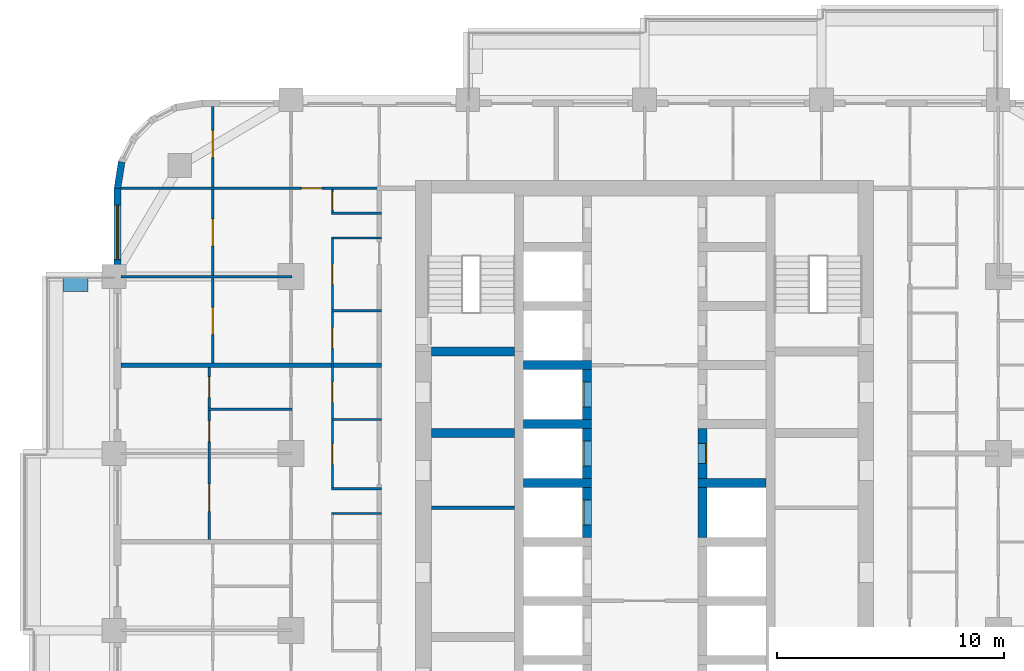
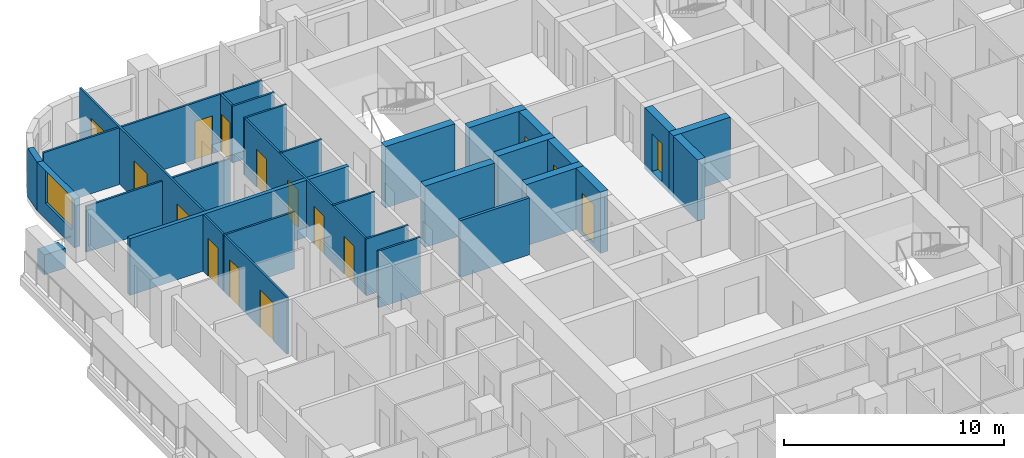
# One storey, part 10 of 17: 29 walls, 16 doors, 1 window, 17 openings.
"""IFC4 building model written with IfcOpenShell, lengths in metres."""

from ifc_helpers import new_model, si_unit, direction, frame, frame_2d, origin, place, context, subcontext, project, spatial, rectangle, extrude, material, layer, layer_set, type_object, element, fill, save


model = new_model("IFC4")

# Units and contexts
model_context = context("Model", 3, precision=1e-05, world=origin(), true_north=direction((0.0, 1.0)))
body_context = subcontext(model_context, "Body", "Model", "MODEL_VIEW")
ifc_project = project(units=[si_unit("LENGTHUNIT", "METRE"), si_unit("AREAUNIT", "SQUARE_METRE"), si_unit("VOLUMEUNIT", "CUBIC_METRE"), si_unit("PLANEANGLEUNIT", "RADIAN"), si_unit("MASSUNIT", "GRAM", prefix="KILO")], contexts=[model_context])

# Site, building, storey
site_placement = place(None, origin())
site = spatial("IfcSite", under=ifc_project, at=site_placement, CompositionType="ELEMENT")
building_placement = place(site_placement, origin())
building = spatial("IfcBuilding", under=site, at=building_placement, Name="Ludao Terraces", CompositionType="ELEMENT")
storey_placement = place(building_placement, frame((0.0, 0.0, 39.89990234375)))
storey = spatial("IfcBuildingStorey", under=building, at=storey_placement, Name="L10", CompositionType="ELEMENT", Elevation=39.89990234375)

# Wall
ifc_material_1 = material(Name="Concrete C40", Category="concrete")
ifc_layer_1 = layer(ifc_material_1, 0.60009765625)
ifc_layer_set_1 = layer_set([ifc_layer_1], Name="ENV Planter trough 600")
wall_type_1 = type_object("IfcWallType", Name="ENV Planter trough 600", PredefinedType="USERDEFINED", material=ifc_layer_set_1)
wall_1_placement = place(storey_placement, frame((59.35009765625, 80.25, 0.0), z_axis=(0.0, 0.0, 1.0), x_axis=(1.0, 0.0, 0.0)))
element("IfcWall", 1, at=wall_1_placement, inside=storey, type_object=wall_type_1, Name="PL-L10-W4-SB", ObjectType="PLANTER", PredefinedType="USERDEFINED", context=body_context, shape_type="SweptSolid", body=[
    extrude(rectangle(XDim=1.099853515625, YDim=0.60009765625, at=frame_2d((0.5498046875, 0.0))), origin(), (0.0, 0.0, 1.0), 1.10009765625),
])

# Wall, opening, window
ifc_material_2 = material(Name="Granite cladding", Category="masonry")
ifc_layer_2 = layer(ifc_material_2, 0.0400390625, Category="stone")
ifc_material_3 = material(Name="Mineral wool")
ifc_layer_3 = layer(ifc_material_3, 0.06005859375)
ifc_layer_4 = layer(ifc_material_1, 0.199951171875, Category="concrete")
ifc_layer_set_2 = layer_set([ifc_layer_2, ifc_layer_3, ifc_layer_4], Name="ENV Stone-clad wall 300")
wall_type_2 = type_object("IfcWallType", Name="ENV Stone-clad wall 300", PredefinedType="SOLIDWALL", material=ifc_layer_set_2)
wall_2_placement = place(storey_placement, frame((61.75, 81.125, 0.0), z_axis=(0.0, 0.0, 1.0), x_axis=(0.0, 1.0, 0.0)))
wall_2 = element("IfcWall", 2, at=wall_2_placement, inside=storey, type_object=wall_type_2, Name="EW-L10-W6", PredefinedType="SOLIDWALL", context=body_context, shape_type="SweptSolid", body=[
    extrude(rectangle(XDim=3.375, YDim=0.300048828125, at=frame_2d((1.6875, 0.0))), origin(), (0.0, 0.0, 1.0), 2.7001953125),
])
opening_1_placement = place(wall_2_placement, frame((0.22509765625, 0.0, 0.89990234375)))
opening_1 = element("IfcOpeningElement", 3, at=opening_1_placement, cuts=wall_2, Name="Opening W1", PredefinedType="OPENING", context=body_context, shape_type="SweptSolid", body=[
    extrude(rectangle(XDim=2.39990234375, YDim=1.800048828125, at=frame_2d((1.199951171875, 0.89990234375))), frame((0.0, 0.16015625, 0.0), z_axis=(0.0, -1.0, 0.0), x_axis=(1.0, 0.0, 0.0)), (0.0, 0.0, 1.0), 0.320068359375),
])
ifc_material_4 = material(Name="Clear glass in aluminium frame", Category="aluminium")
ifc_layer_5 = layer(ifc_material_4, 0.06005859375)
ifc_layer_set_3 = layer_set([ifc_layer_5], Name="ENV Window W1 2400x1800")
window_type = type_object("IfcWindowType", Name="ENV Window W1 2400x1800", PartitioningType="DOUBLE_PANEL_VERTICAL", PredefinedType="WINDOW", material=ifc_layer_set_3)
window_placement = place(opening_1_placement, origin())
window = element("IfcWindow", 4, at=window_placement, inside=storey, type_object=window_type, Name="W-L10-W6-1", OverallHeight=1.800048828125, OverallWidth=2.39990234375, PartitioningType="DOUBLE_PANEL_VERTICAL", PredefinedType="WINDOW", context=body_context, shape_type="SweptSolid", body=[
    extrude(rectangle(XDim=2.39990234375, YDim=1.800048828125, at=frame_2d((1.199951171875, 0.89990234375))), frame((0.0, 0.030029296875, 0.0), z_axis=(0.0, -1.0, 0.0), x_axis=(1.0, 0.0, 0.0)), (0.0, 0.0, 1.0), 0.06005859375),
])
fill(opening_1, window)

# Walls
wall_3_placement = place(storey_placement, frame((61.93359375, 85.65869140625, 0.0), z_axis=(0.0, 0.0, 1.0), x_axis=(-0.156496880861, -0.987678452879, 0.0)))
element("IfcWall", 5, at=wall_3_placement, inside=storey, type_object=wall_type_2, Name="EW-L10-NW5", PredefinedType="SOLIDWALL", context=body_context, shape_type="SweptSolid", body=[
    extrude(rectangle(XDim=1.173095703125, YDim=0.300048828125, at=frame_2d((0.58642578125, 0.0))), origin(), (0.0, 0.0, 1.0), 2.7001953125),
])
ifc_material_5 = material(Name="Fire-rated gypsum plasterboard", Category="gypsum")
ifc_layer_6 = layer(ifc_material_5, 0.012451171875, Category="gypsum")
ifc_layer_7 = layer(ifc_material_3, 0.10009765625, Name="insulation")
ifc_material_6 = material(Name="Steel Q235", Category="steel")
ifc_layer_8 = layer(ifc_material_6, 0.02490234375, Name="stud")
ifc_layer_9 = layer(ifc_material_5, 0.012451171875, Category="gypsum")
ifc_layer_set_4 = layer_set([ifc_layer_6, ifc_layer_7, ifc_layer_8, ifc_layer_9], Name="INT Core partition 150")
wall_type_3 = type_object("IfcWallType", Name="INT Core partition 150", PredefinedType="PARTITIONING", material=ifc_layer_set_4)
wall_4_placement = place(storey_placement, frame((75.60009765625, 70.39990234375, 0.0), z_axis=(0.0, 0.0, 1.0), x_axis=(1.0, 0.0, 0.0)))
element("IfcWall", 6, at=wall_4_placement, inside=storey, type_object=wall_type_3, Name="PW-L10-PW052", PredefinedType="PARTITIONING", context=body_context, shape_type="SweptSolid", body=[
    extrude(rectangle(XDim=3.64990234375, YDim=0.14990234375, at=frame_2d((1.824951171875, 0.0))), origin(), (0.0, 0.0, 1.0), 3.150146484375),
])
ifc_material_7 = material(Name="Gypsum plasterboard", Category="gypsum")
ifc_layer_10 = layer(ifc_material_7, 0.012451171875, Category="gypsum")
ifc_layer_11 = layer(ifc_material_3, 0.06005859375, Name="insulation")
ifc_layer_12 = layer(ifc_material_6, 0.014892578125, Name="stud")
ifc_layer_13 = layer(ifc_material_7, 0.012451171875, Category="gypsum")
ifc_layer_set_5 = layer_set([ifc_layer_10, ifc_layer_11, ifc_layer_12, ifc_layer_13], Name="INT Partition 100")
wall_type_4 = type_object("IfcWallType", Name="INT Partition 100", PredefinedType="PARTITIONING", material=ifc_layer_set_5)
for number, where, z_axis, x_axis, name in (
    (7, (71.18017578125, 70.14990234375, 0.0), (0.0, 0.0, 1.0), (1.0, 0.0, 0.0), "PW-L10-PW051"),
    (8, (71.18017578125, 71.25, 0.0), (0.0, 0.0, 1.0), (1.0, 0.0, 0.0), "PW-L10-PW055"),
    (9, (71.18017578125, 74.300048828125, 0.0), (0.0, 0.0, 1.0), (1.0, 0.0, 0.0), "PW-L10-PW058"),
):
    element("IfcWall", number, at=place(storey_placement, frame(where, z_axis=z_axis, x_axis=x_axis)), inside=storey, type_object=wall_type_4, Name=name, PredefinedType="PARTITIONING", context=body_context, shape_type="SweptSolid", body=[
        extrude(rectangle(XDim=2.219970703125, YDim=0.10009765625, at=frame_2d((1.10986328125, 0.0))), origin(), (0.0, 0.0, 1.0), 3.150146484375),
    ])
wall_5_placement = place(storey_placement, frame((65.75, 74.75, 0.0), z_axis=(0.0, 0.0, 1.0), x_axis=(1.0, 0.0, 0.0)))
element("IfcWall", 10, at=wall_5_placement, inside=storey, type_object=wall_type_4, Name="PW-L10-PW060", PredefinedType="PARTITIONING", context=body_context, shape_type="SweptSolid", body=[
    extrude(rectangle(XDim=3.7001953125, YDim=0.10009765625, at=frame_2d((1.85009765625, 0.0))), origin(), (0.0, 0.0, 1.0), 3.150146484375),
])
wall_6_placement = place(storey_placement, frame((71.18017578125, 79.10009765625, 0.0), z_axis=(0.0, 0.0, 1.0), x_axis=(1.0, 0.0, 0.0)))
element("IfcWall", 11, at=wall_6_placement, inside=storey, type_object=wall_type_4, Name="PW-L10-PW068", PredefinedType="PARTITIONING", context=body_context, shape_type="SweptSolid", body=[
    extrude(rectangle(XDim=2.219970703125, YDim=0.10009765625, at=frame_2d((1.10986328125, 0.0))), origin(), (0.0, 0.0, 1.0), 3.150146484375),
])
wall_7_placement = place(storey_placement, frame((61.900146484375, 80.60009765625, 0.0), z_axis=(0.0, 0.0, 1.0), x_axis=(1.0, 0.0, 0.0)))
element("IfcWall", 12, at=wall_7_placement, inside=storey, type_object=wall_type_4, Name="PW-L10-PW070", PredefinedType="PARTITIONING", context=body_context, shape_type="SweptSolid", body=[
    extrude(rectangle(XDim=7.550048828125, YDim=0.10009765625, at=frame_2d((3.77490234375, 0.0))), origin(), (0.0, 0.0, 1.0), 2.550048828125),
])
for number, where, z_axis, x_axis, name in (
    (13, (71.18017578125, 82.300048828125, 0.0), (0.0, 0.0, 1.0), (1.0, 0.0, 0.0), "PW-L10-PW073"),
    (14, (71.18017578125, 83.39990234375, 0.0), (0.0, 0.0, 1.0), (1.0, 0.0, 0.0), "PW-L10-PW074"),
):
    element("IfcWall", number, at=place(storey_placement, frame(where, z_axis=z_axis, x_axis=x_axis)), inside=storey, type_object=wall_type_4, Name=name, PredefinedType="PARTITIONING", context=body_context, shape_type="SweptSolid", body=[
        extrude(rectangle(XDim=2.219970703125, YDim=0.10009765625, at=frame_2d((1.10986328125, 0.0))), origin(), (0.0, 0.0, 1.0), 3.150146484375),
    ])

# Wall, opening, door
wall_8_placement = place(storey_placement, frame((61.900146484375, 84.5, 0.0), z_axis=(0.0, 0.0, 1.0), x_axis=(1.0, 0.0, 0.0)))
wall_8 = element("IfcWall", 15, at=wall_8_placement, inside=storey, type_object=wall_type_4, Name="PW-L10-PW075", PredefinedType="PARTITIONING", context=body_context, shape_type="SweptSolid", body=[
    extrude(rectangle(XDim=11.5, YDim=0.10009765625, at=frame_2d((5.75, 0.0))), origin(), (0.0, 0.0, 1.0), 3.150146484375),
])
opening_2_placement = place(wall_8_placement, frame((7.965087890625, 0.0, 0.0)))
opening_2 = element("IfcOpeningElement", 16, at=opening_2_placement, cuts=wall_8, Name="Opening R03-153", PredefinedType="OPENING", context=body_context, shape_type="SweptSolid", body=[
    extrude(rectangle(XDim=0.89990234375, YDim=2.10009765625, at=frame_2d((0.449951171875, 1.050048828125))), frame((0.0, 0.06005859375, 0.0), z_axis=(0.0, -1.0, 0.0), x_axis=(1.0, 0.0, 0.0)), (0.0, 0.0, 1.0), 0.1201171875),
])
ifc_material_8 = material(Name="Timber door leaf", Category="wood")
door_type_1 = type_object("IfcDoorType", Name="INT Room door 900", OperationType="SINGLE_SWING_LEFT", PredefinedType="DOOR", material=ifc_material_8)
door_1_placement = place(opening_2_placement, origin())
door_1 = element("IfcDoor", 17, at=door_1_placement, inside=storey, type_object=door_type_1, Name="DOOR 153", OperationType="SINGLE_SWING_RIGHT", OverallHeight=2.10009765625, OverallWidth=0.89990234375, PredefinedType="DOOR", context=body_context, shape_type="SweptSolid", body=[
    extrude(rectangle(XDim=0.89990234375, YDim=2.10009765625, at=frame_2d((0.449951171875, 1.050048828125))), frame((0.0, 0.02490234375, 0.0), z_axis=(0.0, -1.0, 0.0), x_axis=(1.0, 0.0, 0.0)), (0.0, 0.0, 1.0), 0.050048828125),
])
fill(opening_2, door_1)

# Wall, openings, doors
wall_9_placement = place(storey_placement, frame((65.800048828125, 69.0, 0.0), z_axis=(0.0, 0.0, 1.0), x_axis=(0.0, 1.0, 0.0)))
wall_9 = element("IfcWall", 18, at=wall_9_placement, inside=storey, type_object=wall_type_4, Name="PW-L10-PW080", PredefinedType="PARTITIONING", context=body_context, shape_type="SweptSolid", body=[
    extrude(rectangle(XDim=7.60009765625, YDim=0.10009765625, at=frame_2d((3.800048828125, 0.0))), origin(), (0.0, 0.0, 1.0), 3.150146484375),
])
opening_3_placement = place(wall_9_placement, frame((1.25, 0.0, 0.0)))
opening_3 = element("IfcOpeningElement", 19, at=opening_3_placement, cuts=wall_9, Name="Opening R03-103", PredefinedType="OPENING", context=body_context, shape_type="SweptSolid", body=[
    extrude(rectangle(XDim=1.199951171875, YDim=2.10009765625, at=frame_2d((0.60009765625, 1.050048828125))), frame((0.0, 0.06005859375, 0.0), z_axis=(0.0, -1.0, 0.0), x_axis=(1.0, 0.0, 0.0)), (0.0, 0.0, 1.0), 0.1201171875),
])
opening_4_placement = place(wall_9_placement, frame((4.3251953125, 0.0, 0.0)))
opening_4 = element("IfcOpeningElement", 20, at=opening_4_placement, cuts=wall_9, Name="Opening R03-115", PredefinedType="OPENING", context=body_context, shape_type="SweptSolid", body=[
    extrude(rectangle(XDim=0.89990234375, YDim=2.10009765625, at=frame_2d((0.449951171875, 1.050048828125))), frame((0.0, 0.06005859375, 0.0), z_axis=(0.0, -1.0, 0.0), x_axis=(1.0, 0.0, 0.0)), (0.0, 0.0, 1.0), 0.1201171875),
])
opening_5_placement = place(wall_9_placement, frame((6.275146484375, 0.0, 0.0)))
opening_5 = element("IfcOpeningElement", 21, at=opening_5_placement, cuts=wall_9, Name="Opening R03-122", PredefinedType="OPENING", context=body_context, shape_type="SweptSolid", body=[
    extrude(rectangle(XDim=0.89990234375, YDim=2.10009765625, at=frame_2d((0.449951171875, 1.050048828125))), frame((0.0, 0.06005859375, 0.0), z_axis=(0.0, -1.0, 0.0), x_axis=(1.0, 0.0, 0.0)), (0.0, 0.0, 1.0), 0.1201171875),
])
door_type_2 = type_object("IfcDoorType", Name="INT Bathroom door 900", OperationType="SINGLE_SWING_LEFT", PredefinedType="DOOR", material=ifc_material_8)
door_2_placement = place(opening_4_placement, origin())
door_2 = element("IfcDoor", 22, at=door_2_placement, inside=storey, type_object=door_type_2, Name="DOOR 115", OperationType="SINGLE_SWING_RIGHT", OverallHeight=2.10009765625, OverallWidth=0.89990234375, PredefinedType="DOOR", context=body_context, shape_type="SweptSolid", body=[
    extrude(rectangle(XDim=0.89990234375, YDim=2.10009765625, at=frame_2d((0.449951171875, 1.050048828125))), frame((0.0, 0.02490234375, 0.0), z_axis=(0.0, -1.0, 0.0), x_axis=(1.0, 0.0, 0.0)), (0.0, 0.0, 1.0), 0.050048828125),
])
fill(opening_4, door_2)
door_type_3 = type_object("IfcDoorType", Name="INT Double door 1200", OperationType="DOUBLE_DOOR_SINGLE_SWING", PredefinedType="DOOR", material=ifc_material_8)
door_3_placement = place(opening_3_placement, origin())
door_3 = element("IfcDoor", 23, at=door_3_placement, inside=storey, type_object=door_type_3, Name="DOOR 103", OperationType="DOUBLE_DOOR_SINGLE_SWING", OverallHeight=2.10009765625, OverallWidth=1.199951171875, PredefinedType="DOOR", context=body_context, shape_type="SweptSolid", body=[
    extrude(rectangle(XDim=1.199951171875, YDim=2.10009765625, at=frame_2d((0.60009765625, 1.050048828125))), frame((0.0, 0.02490234375, 0.0), z_axis=(0.0, -1.0, 0.0), x_axis=(1.0, 0.0, 0.0)), (0.0, 0.0, 1.0), 0.050048828125),
])
fill(opening_3, door_3)
door_4_placement = place(opening_5_placement, origin())
door_4 = element("IfcDoor", 24, at=door_4_placement, inside=storey, type_object=door_type_1, Name="DOOR 122", OperationType="SINGLE_SWING_LEFT", OverallHeight=2.10009765625, OverallWidth=0.89990234375, PredefinedType="DOOR", context=body_context, shape_type="SweptSolid", body=[
    extrude(rectangle(XDim=0.89990234375, YDim=2.10009765625, at=frame_2d((0.449951171875, 1.050048828125))), frame((0.0, 0.02490234375, 0.0), z_axis=(0.0, -1.0, 0.0), x_axis=(1.0, 0.0, 0.0)), (0.0, 0.0, 1.0), 0.050048828125),
])
fill(opening_5, door_4)

wall_10_placement = place(storey_placement, frame((65.949951171875, 76.800048828125, 0.0), z_axis=(0.0, 0.0, 1.0), x_axis=(0.0, 1.0, 0.0)))
wall_10 = element("IfcWall", 25, at=wall_10_placement, inside=storey, type_object=wall_type_4, Name="PW-L10-PW082", PredefinedType="PARTITIONING", context=body_context, shape_type="SweptSolid", body=[
    extrude(rectangle(XDim=11.300048828125, YDim=0.10009765625, at=frame_2d((5.64990234375, 0.0))), origin(), (0.0, 0.0, 1.0), 3.150146484375),
])
opening_6_placement = place(wall_10_placement, frame((1.25, 0.0, 0.0)))
opening_6 = element("IfcOpeningElement", 26, at=opening_6_placement, cuts=wall_10, Name="Opening R03-135", PredefinedType="OPENING", context=body_context, shape_type="SweptSolid", body=[
    extrude(rectangle(XDim=1.199951171875, YDim=2.10009765625, at=frame_2d((0.60009765625, 1.050048828125))), frame((0.0, 0.06005859375, 0.0), z_axis=(0.0, -1.0, 0.0), x_axis=(1.0, 0.0, 0.0)), (0.0, 0.0, 1.0), 0.1201171875),
])
opening_7_placement = place(wall_10_placement, frame((5.14990234375, 0.0, 0.0)))
opening_7 = element("IfcOpeningElement", 27, at=opening_7_placement, cuts=wall_10, Name="Opening R03-145", PredefinedType="OPENING", context=body_context, shape_type="SweptSolid", body=[
    extrude(rectangle(XDim=1.199951171875, YDim=2.10009765625, at=frame_2d((0.60009765625, 1.050048828125))), frame((0.0, 0.06005859375, 0.0), z_axis=(0.0, -1.0, 0.0), x_axis=(1.0, 0.0, 0.0)), (0.0, 0.0, 1.0), 0.1201171875),
])
opening_8_placement = place(wall_10_placement, frame((9.050048828125, 0.0, 0.0)))
opening_8 = element("IfcOpeningElement", 28, at=opening_8_placement, cuts=wall_10, Name="Opening R03-155", PredefinedType="OPENING", context=body_context, shape_type="SweptSolid", body=[
    extrude(rectangle(XDim=1.199951171875, YDim=2.10009765625, at=frame_2d((0.60009765625, 1.050048828125))), frame((0.0, 0.06005859375, 0.0), z_axis=(0.0, -1.0, 0.0), x_axis=(1.0, 0.0, 0.0)), (0.0, 0.0, 1.0), 0.1201171875),
])
door_5_placement = place(opening_6_placement, origin())
door_5 = element("IfcDoor", 29, at=door_5_placement, inside=storey, type_object=door_type_3, Name="DOOR 135", OperationType="DOUBLE_DOOR_SINGLE_SWING", OverallHeight=2.10009765625, OverallWidth=1.199951171875, PredefinedType="DOOR", context=body_context, shape_type="SweptSolid", body=[
    extrude(rectangle(XDim=1.199951171875, YDim=2.10009765625, at=frame_2d((0.60009765625, 1.050048828125))), frame((0.0, 0.02490234375, 0.0), z_axis=(0.0, -1.0, 0.0), x_axis=(1.0, 0.0, 0.0)), (0.0, 0.0, 1.0), 0.050048828125),
])
fill(opening_6, door_5)
door_6_placement = place(opening_7_placement, origin())
door_6 = element("IfcDoor", 30, at=door_6_placement, inside=storey, type_object=door_type_3, Name="DOOR 145", OperationType="DOUBLE_DOOR_SINGLE_SWING", OverallHeight=2.10009765625, OverallWidth=1.199951171875, PredefinedType="DOOR", context=body_context, shape_type="SweptSolid", body=[
    extrude(rectangle(XDim=1.199951171875, YDim=2.10009765625, at=frame_2d((0.60009765625, 1.050048828125))), frame((0.0, 0.02490234375, 0.0), z_axis=(0.0, -1.0, 0.0), x_axis=(1.0, 0.0, 0.0)), (0.0, 0.0, 1.0), 0.050048828125),
])
fill(opening_7, door_6)
door_7_placement = place(opening_8_placement, origin())
door_7 = element("IfcDoor", 31, at=door_7_placement, inside=storey, type_object=door_type_3, Name="DOOR 155", OperationType="DOUBLE_DOOR_SINGLE_SWING", OverallHeight=2.10009765625, OverallWidth=1.199951171875, PredefinedType="DOOR", context=body_context, shape_type="SweptSolid", body=[
    extrude(rectangle(XDim=1.199951171875, YDim=2.10009765625, at=frame_2d((0.60009765625, 1.050048828125))), frame((0.0, 0.02490234375, 0.0), z_axis=(0.0, -1.0, 0.0), x_axis=(1.0, 0.0, 0.0)), (0.0, 0.0, 1.0), 0.050048828125),
])
fill(opening_8, door_7)

wall_11_placement = place(storey_placement, frame((71.22998046875, 71.300048828125, 0.0), z_axis=(0.0, 0.0, 1.0), x_axis=(0.0, 1.0, 0.0)))
wall_11 = element("IfcWall", 32, at=wall_11_placement, inside=storey, type_object=wall_type_4, Name="PW-L10-PW087", PredefinedType="PARTITIONING", context=body_context, shape_type="SweptSolid", body=[
    extrude(rectangle(XDim=10.949951171875, YDim=0.10009765625, at=frame_2d((5.47509765625, 0.0))), origin(), (0.0, 0.0, 1.0), 3.150146484375),
])
opening_9_placement = place(wall_11_placement, frame((1.02490234375, 0.0, 0.0)))
opening_9 = element("IfcOpeningElement", 33, at=opening_9_placement, cuts=wall_11, Name="Opening R03-111", PredefinedType="OPENING", context=body_context, shape_type="SweptSolid", body=[
    extrude(rectangle(XDim=0.89990234375, YDim=2.10009765625, at=frame_2d((0.449951171875, 1.050048828125))), frame((0.0, 0.06005859375, 0.0), z_axis=(0.0, -1.0, 0.0), x_axis=(1.0, 0.0, 0.0)), (0.0, 0.0, 1.0), 0.1201171875),
])
opening_10_placement = place(wall_11_placement, frame((3.75, 0.0, 0.0)))
opening_10 = element("IfcOpeningElement", 34, at=opening_10_placement, cuts=wall_11, Name="Opening R03-119", PredefinedType="OPENING", context=body_context, shape_type="SweptSolid", body=[
    extrude(rectangle(XDim=0.89990234375, YDim=2.10009765625, at=frame_2d((0.449951171875, 1.050048828125))), frame((0.0, 0.06005859375, 0.0), z_axis=(0.0, -1.0, 0.0), x_axis=(1.0, 0.0, 0.0)), (0.0, 0.0, 1.0), 0.1201171875),
])
opening_11_placement = place(wall_11_placement, frame((6.14990234375, 0.0, 0.0)))
opening_11 = element("IfcOpeningElement", 35, at=opening_11_placement, cuts=wall_11, Name="Opening R03-129", PredefinedType="OPENING", context=body_context, shape_type="SweptSolid", body=[
    extrude(rectangle(XDim=0.89990234375, YDim=2.10009765625, at=frame_2d((0.449951171875, 1.050048828125))), frame((0.0, 0.06005859375, 0.0), z_axis=(0.0, -1.0, 0.0), x_axis=(1.0, 0.0, 0.0)), (0.0, 0.0, 1.0), 0.1201171875),
])
opening_12_placement = place(wall_11_placement, frame((8.949951171875, 0.0, 0.0)))
opening_12 = element("IfcOpeningElement", 36, at=opening_12_placement, cuts=wall_11, Name="Opening R03-141", PredefinedType="OPENING", context=body_context, shape_type="SweptSolid", body=[
    extrude(rectangle(XDim=0.89990234375, YDim=2.10009765625, at=frame_2d((0.449951171875, 1.050048828125))), frame((0.0, 0.06005859375, 0.0), z_axis=(0.0, -1.0, 0.0), x_axis=(1.0, 0.0, 0.0)), (0.0, 0.0, 1.0), 0.1201171875),
])
door_8_placement = place(opening_10_placement, origin())
door_8 = element("IfcDoor", 37, at=door_8_placement, inside=storey, type_object=door_type_2, Name="DOOR 119", OperationType="SINGLE_SWING_LEFT", OverallHeight=2.10009765625, OverallWidth=0.89990234375, PredefinedType="DOOR", context=body_context, shape_type="SweptSolid", body=[
    extrude(rectangle(XDim=0.89990234375, YDim=2.10009765625, at=frame_2d((0.449951171875, 1.050048828125))), frame((0.0, 0.02490234375, 0.0), z_axis=(0.0, -1.0, 0.0), x_axis=(1.0, 0.0, 0.0)), (0.0, 0.0, 1.0), 0.050048828125),
])
fill(opening_10, door_8)
door_9_placement = place(opening_11_placement, origin())
door_9 = element("IfcDoor", 38, at=door_9_placement, inside=storey, type_object=door_type_2, Name="DOOR 129", OperationType="SINGLE_SWING_RIGHT", OverallHeight=2.10009765625, OverallWidth=0.89990234375, PredefinedType="DOOR", context=body_context, shape_type="SweptSolid", body=[
    extrude(rectangle(XDim=0.89990234375, YDim=2.10009765625, at=frame_2d((0.449951171875, 1.050048828125))), frame((0.0, 0.02490234375, 0.0), z_axis=(0.0, -1.0, 0.0), x_axis=(1.0, 0.0, 0.0)), (0.0, 0.0, 1.0), 0.050048828125),
])
fill(opening_11, door_9)
door_10_placement = place(opening_9_placement, origin())
door_10 = element("IfcDoor", 39, at=door_10_placement, inside=storey, type_object=door_type_1, Name="DOOR 111", OperationType="SINGLE_SWING_RIGHT", OverallHeight=2.10009765625, OverallWidth=0.89990234375, PredefinedType="DOOR", context=body_context, shape_type="SweptSolid", body=[
    extrude(rectangle(XDim=0.89990234375, YDim=2.10009765625, at=frame_2d((0.449951171875, 1.050048828125))), frame((0.0, 0.02490234375, 0.0), z_axis=(0.0, -1.0, 0.0), x_axis=(1.0, 0.0, 0.0)), (0.0, 0.0, 1.0), 0.050048828125),
])
fill(opening_9, door_10)
door_11_placement = place(opening_12_placement, origin())
door_11 = element("IfcDoor", 40, at=door_11_placement, inside=storey, type_object=door_type_1, Name="DOOR 141", OperationType="SINGLE_SWING_LEFT", OverallHeight=2.10009765625, OverallWidth=0.89990234375, PredefinedType="DOOR", context=body_context, shape_type="SweptSolid", body=[
    extrude(rectangle(XDim=0.89990234375, YDim=2.10009765625, at=frame_2d((0.449951171875, 1.050048828125))), frame((0.0, 0.02490234375, 0.0), z_axis=(0.0, -1.0, 0.0), x_axis=(1.0, 0.0, 0.0)), (0.0, 0.0, 1.0), 0.050048828125),
])
fill(opening_12, door_11)

# Wall, opening, door
wall_12_placement = place(storey_placement, frame((71.22998046875, 83.4501953125, 0.0), z_axis=(0.0, 0.0, 1.0), x_axis=(0.0, 1.0, 0.0)))
wall_12 = element("IfcWall", 41, at=wall_12_placement, inside=storey, type_object=wall_type_4, Name="PW-L10-PW088", PredefinedType="PARTITIONING", context=body_context, shape_type="SweptSolid", body=[
    extrude(rectangle(XDim=1.0, YDim=0.10009765625, at=frame_2d((0.5, 0.0))), origin(), (0.0, 0.0, 1.0), 3.150146484375),
])
opening_13_placement = place(wall_12_placement, frame((0.10009765625, 0.0, 0.0)))
opening_13 = element("IfcOpeningElement", 42, at=opening_13_placement, cuts=wall_12, Name="Opening R03-152", PredefinedType="OPENING", context=body_context, shape_type="SweptSolid", body=[
    extrude(rectangle(XDim=0.800048828125, YDim=2.10009765625, at=frame_2d((0.39990234375, 1.050048828125))), frame((0.0, 0.06005859375, 0.0), z_axis=(0.0, -1.0, 0.0), x_axis=(1.0, 0.0, 0.0)), (0.0, 0.0, 1.0), 0.1201171875),
])
door_type_4 = type_object("IfcDoorType", Name="INT Store door 800", OperationType="SINGLE_SWING_LEFT", PredefinedType="DOOR", material=ifc_material_8)
door_12_placement = place(opening_13_placement, origin())
door_12 = element("IfcDoor", 43, at=door_12_placement, inside=storey, type_object=door_type_4, Name="DOOR 152", OperationType="SINGLE_SWING_RIGHT", OverallHeight=2.10009765625, OverallWidth=0.800048828125, PredefinedType="DOOR", context=body_context, shape_type="SweptSolid", body=[
    extrude(rectangle(XDim=0.800048828125, YDim=2.10009765625, at=frame_2d((0.39990234375, 1.050048828125))), frame((0.0, 0.02490234375, 0.0), z_axis=(0.0, -1.0, 0.0), x_axis=(1.0, 0.0, 0.0)), (0.0, 0.0, 1.0), 0.050048828125),
])
fill(opening_13, door_12)

# Wall
ifc_material_9 = material(Name="Autoclaved aerated concrete block B06 A3.5", Category="concrete")
ifc_layer_14 = layer(ifc_material_9, 0.199951171875)
ifc_layer_set_6 = layer_set([ifc_layer_14], Name="INT Party wall 200")
wall_type_5 = type_object("IfcWallType", Name="INT Party wall 200", PredefinedType="PARTITIONING", material=ifc_layer_set_6)
wall_13_placement = place(storey_placement, frame((61.900146484375, 76.699951171875, 0.0), z_axis=(0.0, 0.0, 1.0), x_axis=(1.0, 0.0, 0.0)))
element("IfcWall", 44, at=wall_13_placement, inside=storey, type_object=wall_type_5, Name="PW-L10-PW062", PredefinedType="PARTITIONING", context=body_context, shape_type="SweptSolid", body=[
    extrude(rectangle(XDim=11.5, YDim=0.199951171875, at=frame_2d((5.75, 0.0))), origin(), (0.0, 0.0, 1.0), 3.150146484375),
])

# Wall, opening, door
ifc_material_10 = material(Name="Concrete C60", Category="concrete")
ifc_layer_15 = layer(ifc_material_10, 0.39990234375)
ifc_layer_set_7 = layer_set([ifc_layer_15], Name="Shaft wall 400 C60")
wall_type_6 = type_object("IfcWallType", Name="Shaft wall 400 C60", PredefinedType="SOLIDWALL", material=ifc_layer_set_7)
wall_14_placement = place(storey_placement, frame((82.449951171875, 69.10009765625, -0.25), z_axis=(0.0, 0.0, 1.0), x_axis=(0.0, 1.0, 0.0)))
wall_14 = element("IfcWall", 45, at=wall_14_placement, inside=storey, type_object=wall_type_6, Name="Core wall L10 front-W4", PredefinedType="SOLIDWALL", context=body_context, shape_type="SweptSolid", body=[
    extrude(rectangle(XDim=2.199951171875, YDim=0.39990234375, at=frame_2d((1.10009765625, 0.0))), origin(), (0.0, 0.0, 1.0), 3.400146484375),
])
opening_14_placement = place(wall_14_placement, frame((0.550048828125, 0.0, 0.25)))
opening_14 = element("IfcOpeningElement", 46, at=opening_14_placement, cuts=wall_14, Name="Opening LD-LA4", PredefinedType="OPENING", context=body_context, shape_type="SweptSolid", body=[
    extrude(rectangle(XDim=1.10009765625, YDim=2.10009765625, at=frame_2d((0.550048828125, 1.050048828125))), frame((0.0, 0.2099609375, 0.0), z_axis=(0.0, -1.0, 0.0), x_axis=(1.0, 0.0, 0.0)), (0.0, 0.0, 1.0), 0.419921875),
])
ifc_material_11 = material(Name="Stainless steel 304", Category="steel")
door_type_5 = type_object("IfcDoorType", Name="INT Lift landing door 1100", OperationType="SLIDING_TO_LEFT", PredefinedType="DOOR", material=ifc_material_11)
door_13_placement = place(opening_14_placement, origin())
door_13 = element("IfcDoor", 47, at=door_13_placement, inside=storey, type_object=door_type_5, Name="LANDING DOOR LA4 L10", OperationType="SLIDING_TO_LEFT", OverallHeight=2.10009765625, OverallWidth=1.10009765625, PredefinedType="DOOR", context=body_context, shape_type="SweptSolid", body=[
    extrude(rectangle(XDim=1.10009765625, YDim=2.10009765625, at=frame_2d((0.550048828125, 1.050048828125))), frame((0.0, 0.18505859375, 0.0), z_axis=(0.0, -1.0, 0.0), x_axis=(1.0, 0.0, 0.0)), (0.0, 0.0, 1.0), 0.050048828125),
])
fill(opening_14, door_13)

# Wall
wall_15_placement = place(storey_placement, frame((79.64990234375, 71.5, -0.25), z_axis=(0.0, 0.0, 1.0), x_axis=(1.0, 0.0, 0.0)))
element("IfcWall", 48, at=wall_15_placement, inside=storey, type_object=wall_type_6, Name="Core wall L10 div-W5", PredefinedType="SOLIDWALL", context=body_context, shape_type="SweptSolid", body=[
    extrude(rectangle(XDim=3.0, YDim=0.39990234375, at=frame_2d((1.5, 0.0))), origin(), (0.0, 0.0, 1.0), 3.400146484375),
])

# Wall, opening, door
wall_16_placement = place(storey_placement, frame((82.449951171875, 71.699951171875, -0.25), z_axis=(0.0, 0.0, 1.0), x_axis=(0.0, 1.0, 0.0)))
wall_16 = element("IfcWall", 49, at=wall_16_placement, inside=storey, type_object=wall_type_6, Name="Core wall L10 front-W5", PredefinedType="SOLIDWALL", context=body_context, shape_type="SweptSolid", body=[
    extrude(rectangle(XDim=2.199951171875, YDim=0.39990234375, at=frame_2d((1.10009765625, 0.0))), origin(), (0.0, 0.0, 1.0), 3.400146484375),
])
opening_15_placement = place(wall_16_placement, frame((0.550048828125, 0.0, 0.25)))
opening_15 = element("IfcOpeningElement", 50, at=opening_15_placement, cuts=wall_16, Name="Opening LD-LA5", PredefinedType="OPENING", context=body_context, shape_type="SweptSolid", body=[
    extrude(rectangle(XDim=1.10009765625, YDim=2.10009765625, at=frame_2d((0.550048828125, 1.050048828125))), frame((0.0, 0.2099609375, 0.0), z_axis=(0.0, -1.0, 0.0), x_axis=(1.0, 0.0, 0.0)), (0.0, 0.0, 1.0), 0.419921875),
])
door_14_placement = place(opening_15_placement, origin())
door_14 = element("IfcDoor", 51, at=door_14_placement, inside=storey, type_object=door_type_5, Name="LANDING DOOR LA5 L10", OperationType="SLIDING_TO_LEFT", OverallHeight=2.10009765625, OverallWidth=1.10009765625, PredefinedType="DOOR", context=body_context, shape_type="SweptSolid", body=[
    extrude(rectangle(XDim=1.10009765625, YDim=2.10009765625, at=frame_2d((0.550048828125, 1.050048828125))), frame((0.0, 0.18505859375, 0.0), z_axis=(0.0, -1.0, 0.0), x_axis=(1.0, 0.0, 0.0)), (0.0, 0.0, 1.0), 0.050048828125),
])
fill(opening_15, door_14)

# Wall
wall_17_placement = place(storey_placement, frame((79.64990234375, 74.10009765625, -0.25), z_axis=(0.0, 0.0, 1.0), x_axis=(1.0, 0.0, 0.0)))
element("IfcWall", 52, at=wall_17_placement, inside=storey, type_object=wall_type_6, Name="Core wall L10 div-W6", PredefinedType="SOLIDWALL", context=body_context, shape_type="SweptSolid", body=[
    extrude(rectangle(XDim=3.0, YDim=0.39990234375, at=frame_2d((1.5, 0.0))), origin(), (0.0, 0.0, 1.0), 3.400146484375),
])

# Wall, opening, door
wall_18_placement = place(storey_placement, frame((82.449951171875, 74.300048828125, -0.25), z_axis=(0.0, 0.0, 1.0), x_axis=(0.0, 1.0, 0.0)))
wall_18 = element("IfcWall", 53, at=wall_18_placement, inside=storey, type_object=wall_type_6, Name="Core wall L10 front-W6", PredefinedType="SOLIDWALL", context=body_context, shape_type="SweptSolid", body=[
    extrude(rectangle(XDim=2.199951171875, YDim=0.39990234375, at=frame_2d((1.10009765625, 0.0))), origin(), (0.0, 0.0, 1.0), 3.400146484375),
])
opening_16_placement = place(wall_18_placement, frame((0.550048828125, 0.0, 0.25)))
opening_16 = element("IfcOpeningElement", 54, at=opening_16_placement, cuts=wall_18, Name="Opening LD-LA6", PredefinedType="OPENING", context=body_context, shape_type="SweptSolid", body=[
    extrude(rectangle(XDim=1.10009765625, YDim=2.10009765625, at=frame_2d((0.550048828125, 1.050048828125))), frame((0.0, 0.2099609375, 0.0), z_axis=(0.0, -1.0, 0.0), x_axis=(1.0, 0.0, 0.0)), (0.0, 0.0, 1.0), 0.419921875),
])
door_15_placement = place(opening_16_placement, origin())
door_15 = element("IfcDoor", 55, at=door_15_placement, inside=storey, type_object=door_type_5, Name="LANDING DOOR LA6 L10", OperationType="SLIDING_TO_LEFT", OverallHeight=2.10009765625, OverallWidth=1.10009765625, PredefinedType="DOOR", context=body_context, shape_type="SweptSolid", body=[
    extrude(rectangle(XDim=1.10009765625, YDim=2.10009765625, at=frame_2d((0.550048828125, 1.050048828125))), frame((0.0, 0.18505859375, 0.0), z_axis=(0.0, -1.0, 0.0), x_axis=(1.0, 0.0, 0.0)), (0.0, 0.0, 1.0), 0.050048828125),
])
fill(opening_16, door_15)

# Walls
wall_19_placement = place(storey_placement, frame((79.64990234375, 76.699951171875, -0.25), z_axis=(0.0, 0.0, 1.0), x_axis=(1.0, 0.0, 0.0)))
element("IfcWall", 56, at=wall_19_placement, inside=storey, type_object=wall_type_6, Name="Core wall L10 div-W7", PredefinedType="SOLIDWALL", context=body_context, shape_type="SweptSolid", body=[
    extrude(rectangle(XDim=3.0, YDim=0.39990234375, at=frame_2d((1.5, 0.0))), origin(), (0.0, 0.0, 1.0), 3.400146484375),
])
wall_20_placement = place(storey_placement, frame((87.550048828125, 69.10009765625, -0.25), z_axis=(0.0, 0.0, 1.0), x_axis=(0.0, 1.0, 0.0)))
element("IfcWall", 57, at=wall_20_placement, inside=storey, type_object=wall_type_6, Name="Core wall L10 front-E4", PredefinedType="SOLIDWALL", context=body_context, shape_type="SweptSolid", body=[
    extrude(rectangle(XDim=2.199951171875, YDim=0.39990234375, at=frame_2d((1.10009765625, 0.0))), origin(), (0.0, 0.0, 1.0), 3.400146484375),
])
wall_21_placement = place(storey_placement, frame((87.35009765625, 71.5, -0.25), z_axis=(0.0, 0.0, 1.0), x_axis=(1.0, 0.0, 0.0)))
element("IfcWall", 58, at=wall_21_placement, inside=storey, type_object=wall_type_6, Name="Core wall L10 div-E5", PredefinedType="SOLIDWALL", context=body_context, shape_type="SweptSolid", body=[
    extrude(rectangle(XDim=3.0, YDim=0.39990234375, at=frame_2d((1.5, 0.0))), origin(), (0.0, 0.0, 1.0), 3.400146484375),
])

# Wall, opening, door
wall_22_placement = place(storey_placement, frame((87.550048828125, 71.699951171875, -0.25), z_axis=(0.0, 0.0, 1.0), x_axis=(0.0, 1.0, 0.0)))
wall_22 = element("IfcWall", 59, at=wall_22_placement, inside=storey, type_object=wall_type_6, Name="Core wall L10 front-E5", PredefinedType="SOLIDWALL", context=body_context, shape_type="SweptSolid", body=[
    extrude(rectangle(XDim=2.199951171875, YDim=0.39990234375, at=frame_2d((1.10009765625, 0.0))), origin(), (0.0, 0.0, 1.0), 3.400146484375),
])
opening_17_placement = place(wall_22_placement, frame((0.64990234375, 0.0, 0.25)))
opening_17 = element("IfcOpeningElement", 60, at=opening_17_placement, cuts=wall_22, Name="Opening R03-113", PredefinedType="OPENING", context=body_context, shape_type="SweptSolid", body=[
    extrude(rectangle(XDim=0.89990234375, YDim=2.10009765625, at=frame_2d((0.449951171875, 1.050048828125))), frame((0.0, 0.2099609375, 0.0), z_axis=(0.0, -1.0, 0.0), x_axis=(1.0, 0.0, 0.0)), (0.0, 0.0, 1.0), 0.419921875),
])
door_16_placement = place(opening_17_placement, origin())
door_16 = element("IfcDoor", 61, at=door_16_placement, inside=storey, type_object=door_type_1, Name="DOOR 113", OperationType="SINGLE_SWING_RIGHT", OverallHeight=2.10009765625, OverallWidth=0.89990234375, PredefinedType="DOOR", context=body_context, shape_type="SweptSolid", body=[
    extrude(rectangle(XDim=0.89990234375, YDim=2.10009765625, at=frame_2d((0.449951171875, 1.050048828125))), frame((0.0, -0.134765625, 0.0), z_axis=(0.0, -1.0, 0.0), x_axis=(1.0, 0.0, 0.0)), (0.0, 0.0, 1.0), 0.050048828125),
])
fill(opening_17, door_16)

# Walls
for number, where, z_axis, x_axis, name in (
    (62, (75.60009765625, 73.699951171875, -0.25), (0.0, 0.0, 1.0), (1.0, 0.0, 0.0), "Core wall L10 riser-b-W"),
    (63, (75.60009765625, 77.300048828125, -0.25), (0.0, 0.0, 1.0), (1.0, 0.0, 0.0), "Core wall L10 stair-W"),
):
    element("IfcWall", number, at=place(storey_placement, frame(where, z_axis=z_axis, x_axis=x_axis)), inside=storey, type_object=wall_type_6, Name=name, PredefinedType="SOLIDWALL", context=body_context, shape_type="SweptSolid", body=[
        extrude(rectangle(XDim=3.64990234375, YDim=0.39990234375, at=frame_2d((1.824951171875, 0.0))), origin(), (0.0, 0.0, 1.0), 3.400146484375),
    ])

save(model, "model.ifc")
